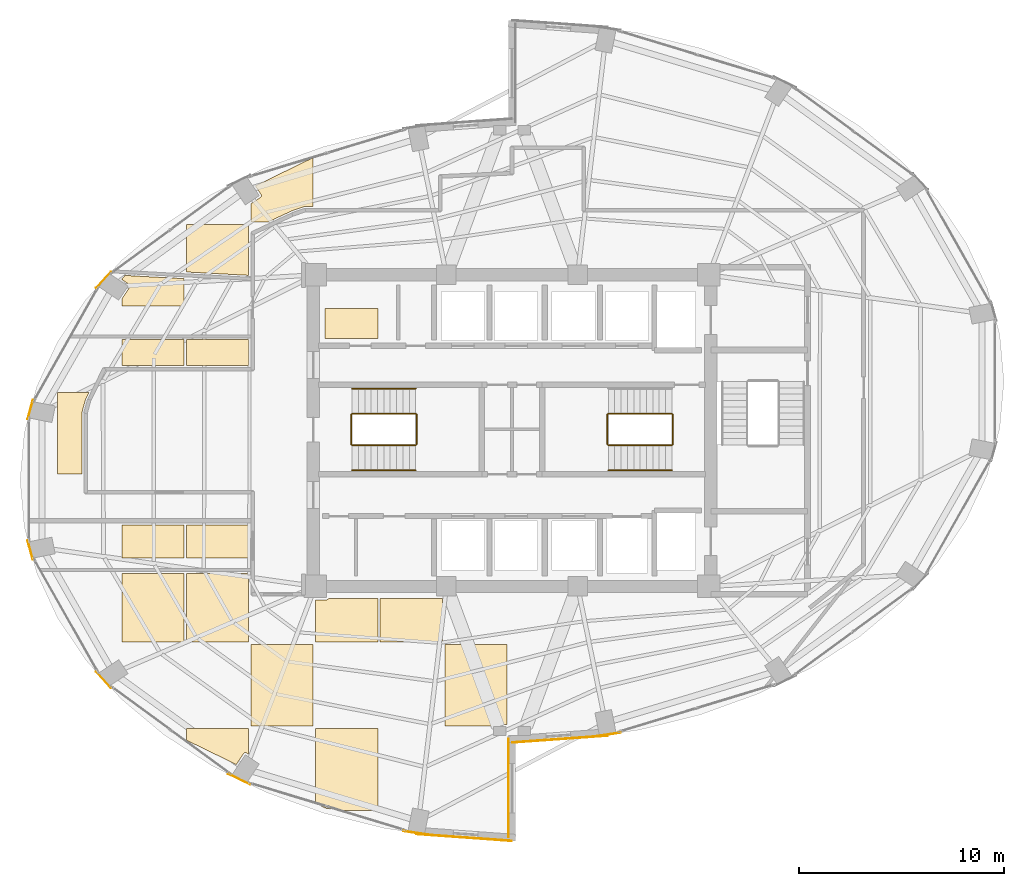
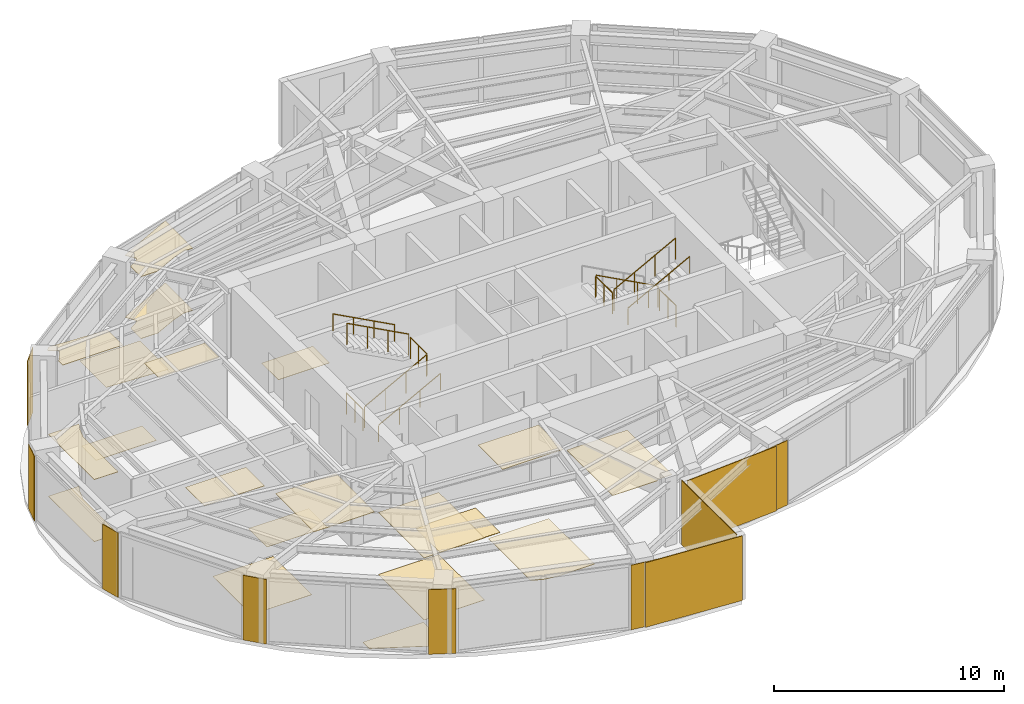
# One storey, part 19 of 20: 30 coverings, 11 railings.
"""IFC4 building model written with IfcOpenShell, lengths in metres."""

from ifc_helpers import new_model, si_unit, direction, frame, origin, origin_2d, place, context, subcontext, project, spatial, polyline, rectangle, circle, outline, extrude, material, layer, layer_set, type_object, element, save


model = new_model("IFC4")

# Units and contexts
model_context = context("Model", 3, precision=1e-05, world=origin(), true_north=direction((0.0, 1.0)))
body_context = subcontext(model_context, "Body", "Model", "MODEL_VIEW")
ifc_project = project(units=[si_unit("LENGTHUNIT", "METRE"), si_unit("AREAUNIT", "SQUARE_METRE"), si_unit("VOLUMEUNIT", "CUBIC_METRE"), si_unit("PLANEANGLEUNIT", "RADIAN"), si_unit("MASSUNIT", "GRAM", prefix="KILO")], contexts=[model_context])

# Site, building, storey
site_placement = place(None, origin())
site = spatial("IfcSite", under=ifc_project, at=site_placement, CompositionType="ELEMENT")
building_placement = place(site_placement, origin())
building = spatial("IfcBuilding", under=site, at=building_placement, Name="Lazwardi Medical Tower", CompositionType="ELEMENT")
storey_placement = place(building_placement, frame((0.0, 0.0, 182.06396484375)))
storey = spatial("IfcBuildingStorey", under=building, at=storey_placement, Name="L47", CompositionType="ELEMENT", Elevation=182.06396484375)

# Coverings
ifc_material_1 = material(Name="Anodised bronze aluminium cassette cladding", Category="aluminium")
ifc_layer_1 = layer(ifc_material_1, 0.030029296875)
ifc_layer_set_1 = layer_set([ifc_layer_1], Name="Anodised bronze aluminium cassette cladding")
covering_type_1 = type_object("IfcCoveringType", Name="COV-CLD-BRZ", PredefinedType="CLADDING", material=ifc_layer_set_1)
covering_1_placement = place(storey_placement, frame((40.67431640625, 13.17578125, 0.0), z_axis=(0.0, 0.0, 1.0), x_axis=(0.989539138138, 0.144264666823, 0.0)))
element("IfcCovering", 1, at=covering_1_placement, inside=storey, type_object=covering_type_1, Name="L47 Mega-column bronze cassette cover M01", PredefinedType="CLADDING", context=body_context, shape_type="SweptSolid", body=[
    extrude(rectangle(XDim=1.28515625, YDim=0.030029296875, at=origin_2d()), origin(), (0.0, 0.0, 1.0), 3.427978515625),
])
covering_2_placement = place(storey_placement, frame((16.07861328125, 35.356689453125, 0.0), z_axis=(0.0, 0.0, 1.0), x_axis=(-0.673714459537, -0.738991763832, 0.0)))
element("IfcCovering", 2, at=covering_2_placement, inside=storey, type_object=covering_type_1, Name="L47 Mega-column bronze cassette cover M11", PredefinedType="CLADDING", context=body_context, shape_type="SweptSolid", body=[
    extrude(rectangle(XDim=1.0693359375, YDim=0.030029296875, at=origin_2d()), origin(), (0.0, 0.0, 1.0), 3.427978515625),
])
for number, where, z_axis, x_axis, name in (
    (3, (12.501220703125, 29.026123046875, 0.0), (0.0, 0.0, 1.0), (-0.261828726257, -0.965114354938, 0.0), "L47 Mega-column bronze cassette cover M12"),
    (4, (12.501220703125, 22.173828125, 0.0), (0.0, 0.0, 1.0), (0.261828726257, -0.965114354938, 0.0), "L47 Mega-column bronze cassette cover M13"),
):
    element("IfcCovering", number, at=place(storey_placement, frame(where, z_axis=z_axis, x_axis=x_axis)), inside=storey, type_object=covering_type_1, Name=name, PredefinedType="CLADDING", context=body_context, shape_type="SweptSolid", body=[
        extrude(rectangle(XDim=0.9658203125, YDim=0.030029296875, at=origin_2d()), origin(), (0.0, 0.0, 1.0), 3.427978515625),
    ])
covering_3_placement = place(storey_placement, frame((16.07861328125, 15.84326171875, 0.0), z_axis=(0.0, 0.0, 1.0), x_axis=(0.673714459537, -0.738991763832, 0.0)))
element("IfcCovering", 5, at=covering_3_placement, inside=storey, type_object=covering_type_1, Name="L47 Mega-column bronze cassette cover M14", PredefinedType="CLADDING", context=body_context, shape_type="SweptSolid", body=[
    extrude(rectangle(XDim=1.0693359375, YDim=0.030029296875, at=origin_2d()), origin(), (0.0, 0.0, 1.0), 3.427978515625),
])
covering_4_placement = place(storey_placement, frame((22.68896484375, 10.998046875, 0.0), z_axis=(0.0, 0.0, 1.0), x_axis=(0.898079014814, -0.439834154144, 0.0)))
element("IfcCovering", 6, at=covering_4_placement, inside=storey, type_object=covering_type_1, Name="L47 Mega-column bronze cassette cover M15", PredefinedType="CLADDING", context=body_context, shape_type="SweptSolid", body=[
    extrude(rectangle(XDim=1.200439453125, YDim=0.030029296875, at=origin_2d()), origin(), (0.0, 0.0, 1.0), 3.427978515625),
])
covering_5_placement = place(storey_placement, frame((31.32568359375, 8.3759765625, 0.0), z_axis=(0.0, 0.0, 1.0), x_axis=(0.989539138138, -0.144264666823, 0.0)))
element("IfcCovering", 7, at=covering_5_placement, inside=storey, type_object=covering_type_1, Name="L47 Mega-column bronze cassette cover M16", PredefinedType="CLADDING", context=body_context, shape_type="SweptSolid", body=[
    extrude(rectangle(XDim=1.28515625, YDim=0.030029296875, at=origin_2d()), origin(), (0.0, 0.0, 1.0), 3.427978515625),
])
ifc_material_2 = material(Name="Turquoise glazed ceramic tilework cladding", Category="masonry")
ifc_layer_2 = layer(ifc_material_2, 0.034912109375)
ifc_layer_set_2 = layer_set([ifc_layer_2], Name="Turquoise glazed ceramic tilework cladding")
covering_type_2 = type_object("IfcCoveringType", Name="COV-CLD-TRQ", PredefinedType="CLADDING", material=ifc_layer_set_2)
covering_6_placement = place(storey_placement, frame((38.338134765625, 12.952392578125, 0.0), z_axis=(0.0, 0.0, 1.0), x_axis=(0.997414510753, 0.071863020663, 0.0)))
element("IfcCovering", 8, at=covering_6_placement, inside=storey, type_object=covering_type_2, Name="L47 Turquoise glazed ceramic tilework cladding", PredefinedType="CLADDING", context=body_context, shape_type="SweptSolid", body=[
    extrude(rectangle(XDim=4.6630859375, YDim=0.034912109375, at=origin_2d()), origin(), (0.0, 0.0, 1.0), 3.427978515625),
])
covering_7_placement = place(storey_placement, frame((33.66162109375, 8.152587890625, 0.0), z_axis=(0.0, 0.0, 1.0), x_axis=(0.997414134466, -0.071868243112, 0.0)))
element("IfcCovering", 9, at=covering_7_placement, inside=storey, type_object=covering_type_2, Name="L47 Turquoise glazed ceramic tilework cladding", PredefinedType="CLADDING", context=body_context, shape_type="SweptSolid", body=[
    extrude(rectangle(XDim=4.66259765625, YDim=0.034912109375, at=origin_2d()), origin(), (0.0, 0.0, 1.0), 3.427978515625),
])
covering_8_placement = place(storey_placement, frame((35.824462890625, 10.56005859375, 0.0), z_axis=(0.0, 0.0, 1.0), x_axis=(0.0, 1.0, 0.0)))
element("IfcCovering", 10, at=covering_8_placement, inside=storey, type_object=covering_type_2, Name="L47 Turquoise glazed ceramic tilework iwan panel", PredefinedType="CLADDING", context=body_context, shape_type="SweptSolid", body=[
    extrude(rectangle(XDim=4.800048828125, YDim=0.034912109375, at=origin_2d()), origin(), (0.0, 0.0, 1.0), 3.427978515625),
])
ifc_material_3 = material(Name="Acoustic mineral fibre tile")
ifc_layer_3 = layer(ifc_material_3, 0.02490234375)
ifc_layer_set_3 = layer_set([ifc_layer_3], Name="Acoustic mineral fibre tile")
covering_type_3 = type_object("IfcCoveringType", Name="COV-CLG-01", PredefinedType="CEILING", material=ifc_layer_set_3)
covering_9_placement = place(storey_placement, frame((0.0, 0.0, 3.282958984375)))
element("IfcCovering", 11, at=covering_9_placement, inside=storey, type_object=covering_type_3, Name="L47 Clinical Acoustic Ceiling 1", PredefinedType="CEILING", context=body_context, shape_type="SweptSolid", body=[
    extrude(outline(polyline([(15.02490234375, 25.882568359375), (15.02490234375, 28.881103515625), (15.025146484375, 28.884765625), (15.025390625, 28.8935546875), (15.026123046875, 28.90087890625), (15.02734375, 28.90966796875), (15.02880859375, 28.91650390625), (15.03076171875, 28.92529296875), (15.031494140625, 28.928955078125), (15.199462890625, 29.519775390625), (15.200439453125, 29.523193359375), (15.203125, 29.531005859375), (15.20556640625, 29.53759765625), (15.208984375, 29.545166015625), (15.210205078125, 29.548095703125), (15.362548828125, 29.862548828125), (13.822998046875, 29.862548828125), (13.822998046875, 25.882568359375), (15.02490234375, 25.882568359375)])), origin(), (0.0, 0.0, 1.0), 0.025146484375),
])
covering_10_placement = place(storey_placement, frame((0.0, 0.0, 3.282958984375)))
element("IfcCovering", 12, at=covering_10_placement, inside=storey, type_object=covering_type_3, Name="L47 Clinical Acoustic Ceiling 2", PredefinedType="CEILING", context=body_context, shape_type="SweptSolid", body=[
    extrude(outline(polyline([(20.0029296875, 23.39990234375), (16.972900390625, 23.39990234375), (16.972900390625, 21.782470703125), (20.0029296875, 21.782470703125), (20.0029296875, 23.39990234375)])), origin(), (0.0, 0.0, 1.0), 0.025146484375),
])
covering_11_placement = place(storey_placement, frame((0.0, 0.0, 3.282958984375)))
element("IfcCovering", 13, at=covering_11_placement, inside=storey, type_object=covering_type_3, Name="L47 Clinical Acoustic Ceiling 3", PredefinedType="CEILING", context=body_context, shape_type="SweptSolid", body=[
    extrude(outline(polyline([(20.0029296875, 35.41552734375), (17.121826171875, 35.572021484375), (16.972900390625, 35.408935546875), (16.972900390625, 35.371337890625), (17.34228515625, 35.124267578125), (17.348876953125, 35.11962890625), (17.3544921875, 35.114501953125), (17.35986328125, 35.1083984375), (17.364501953125, 35.102294921875), (17.36865234375, 35.095458984375), (17.371826171875, 35.08837890625), (17.37451171875, 35.0810546875), (17.37646484375, 35.073486328125), (17.377685546875, 35.065673828125), (17.3779296875, 35.057861328125), (17.377685546875, 35.050048828125), (17.37646484375, 35.042236328125), (17.37451171875, 35.03466796875), (17.371826171875, 35.027099609375), (17.36865234375, 35.02001953125), (17.364501953125, 35.013427734375), (16.972900390625, 34.42724609375), (16.972900390625, 34.08251953125), (20.0029296875, 34.08251953125), (20.0029296875, 35.41552734375)])), origin(), (0.0, 0.0, 1.0), 0.025146484375),
])
covering_12_placement = place(storey_placement, frame((0.0, 0.0, 3.282958984375)))
element("IfcCovering", 14, at=covering_12_placement, inside=storey, type_object=covering_type_3, Name="L47 Clinical Acoustic Ceiling 4", PredefinedType="CEILING", context=body_context, shape_type="SweptSolid", body=[
    extrude(outline(polyline([(23.15283203125, 21.034912109375), (20.122802734375, 21.034912109375), (20.122802734375, 17.6826171875), (23.15283203125, 17.6826171875), (23.15283203125, 21.034912109375)])), origin(), (0.0, 0.0, 1.0), 0.025146484375),
])
covering_13_placement = place(storey_placement, frame((0.0, 0.0, 3.282958984375)))
element("IfcCovering", 15, at=covering_13_placement, inside=storey, type_object=covering_type_3, Name="L47 Clinical Acoustic Ceiling 5", PredefinedType="CEILING", context=body_context, shape_type="SweptSolid", body=[
    extrude(outline(polyline([(23.15283203125, 32.43505859375), (20.122802734375, 32.43505859375), (20.122802734375, 31.175048828125), (23.15283203125, 31.175048828125), (23.15283203125, 32.43505859375)])), origin(), (0.0, 0.0, 1.0), 0.025146484375),
])
covering_14_placement = place(storey_placement, frame((0.0, 0.0, 3.282958984375)))
element("IfcCovering", 16, at=covering_14_placement, inside=storey, type_object=covering_type_3, Name="L47 Clinical Acoustic Ceiling 6", PredefinedType="CEILING", context=body_context, shape_type="SweptSolid", body=[
    extrude(outline(polyline([(26.302978515625, 13.58251953125), (26.302978515625, 17.5625), (23.27294921875, 17.5625), (23.27294921875, 13.58251953125), (26.302978515625, 13.58251953125)])), origin(), (0.0, 0.0, 1.0), 0.025146484375),
])
covering_15_placement = place(storey_placement, frame((0.0, 0.0, 3.282958984375)))
element("IfcCovering", 17, at=covering_15_placement, inside=storey, type_object=covering_type_3, Name="L47 Clinical Acoustic Ceiling 7", PredefinedType="CEILING", context=body_context, shape_type="SweptSolid", body=[
    extrude(outline(polyline([(26.302978515625, 41.32080078125), (23.476318359375, 39.939453125), (23.76806640625, 39.5029296875), (23.772216796875, 39.49609375), (23.775390625, 39.489013671875), (23.7783203125, 39.481689453125), (23.780029296875, 39.47412109375), (23.78125, 39.46630859375), (23.781494140625, 39.45849609375), (23.78125, 39.45068359375), (23.780029296875, 39.44287109375), (23.7783203125, 39.435302734375), (23.775390625, 39.427734375), (23.772216796875, 39.420654296875), (23.76806640625, 39.4140625), (23.763427734375, 39.40771484375), (23.75830078125, 39.40185546875), (23.75244140625, 39.396484375), (23.74609375, 39.391845703125), (23.27294921875, 39.07568359375), (23.27294921875, 38.1826171875), (24.109619140625, 38.1826171875), (25.245849609375, 38.714111328125), (25.24951171875, 38.7158203125), (25.2587890625, 38.719482421875), (25.262939453125, 38.72119140625), (25.825439453125, 38.915283203125), (25.82958984375, 38.916748046875), (25.83984375, 38.919677734375), (25.848876953125, 38.921630859375), (25.859130859375, 38.92333984375), (25.867431640625, 38.92431640625), (25.8779296875, 38.9248046875), (25.882568359375, 38.925048828125), (26.302978515625, 38.925048828125), (26.302978515625, 41.32080078125)])), origin(), (0.0, 0.0, 1.0), 0.025146484375),
])
covering_16_placement = place(storey_placement, frame((0.0, 0.0, 3.282958984375)))
element("IfcCovering", 18, at=covering_16_placement, inside=storey, type_object=covering_type_3, Name="L47 Clinical Acoustic Ceiling 8", PredefinedType="CEILING", context=body_context, shape_type="SweptSolid", body=[
    extrude(outline(polyline([(26.4228515625, 9.820556640625), (26.908447265625, 9.58349609375), (27.60205078125, 9.482421875), (29.452880859375, 9.482421875), (29.452880859375, 13.46240234375), (26.4228515625, 13.46240234375), (26.4228515625, 9.820556640625)])), origin(), (0.0, 0.0, 1.0), 0.025146484375),
])
covering_17_placement = place(storey_placement, frame((0.0, 0.0, 3.282958984375)))
element("IfcCovering", 19, at=covering_17_placement, inside=storey, type_object=covering_type_3, Name="L47 Clinical Acoustic Ceiling 9", PredefinedType="CEILING", context=body_context, shape_type="SweptSolid", body=[
    extrude(outline(polyline([(32.602783203125, 19.820068359375), (29.572998046875, 19.820068359375), (29.572998046875, 17.6826171875), (32.602783203125, 17.6826171875), (32.602783203125, 19.820068359375)])), origin(), (0.0, 0.0, 1.0), 0.025146484375),
])
covering_18_placement = place(storey_placement, frame((0.0, 0.0, 3.282958984375)))
element("IfcCovering", 20, at=covering_18_placement, inside=storey, type_object=covering_type_3, Name="L47 Clinical Acoustic Ceiling 10", PredefinedType="CEILING", context=body_context, shape_type="SweptSolid", body=[
    extrude(outline(polyline([(35.0, 13.58251953125), (35.0, 13.594970703125), (35.00048828125, 13.602783203125), (35.00146484375, 13.610595703125), (35.00341796875, 13.6181640625), (35.006103515625, 13.62548828125), (35.009521484375, 13.6328125), (35.013427734375, 13.639404296875), (35.018310546875, 13.645751953125), (35.0234375, 13.651611328125), (35.029296875, 13.65673828125), (35.03564453125, 13.66162109375), (35.042236328125, 13.66552734375), (35.04931640625, 13.6689453125), (35.056884765625, 13.671630859375), (35.064453125, 13.673583984375), (35.072265625, 13.674560546875), (35.080078125, 13.675048828125), (35.719970703125, 13.675048828125), (35.727783203125, 13.674560546875), (35.735595703125, 13.673583984375), (35.7431640625, 13.671630859375), (35.75048828125, 13.6689453125), (35.7529296875, 13.667724609375), (35.7529296875, 17.5625), (32.722900390625, 17.5625), (32.722900390625, 13.58251953125), (35.0, 13.58251953125)])), origin(), (0.0, 0.0, 1.0), 0.025146484375),
])
ifc_material_4 = material(Name="Anti-static hospital vinyl sheet flooring")
ifc_layer_4 = layer(ifc_material_4, 0.014892578125)
ifc_layer_set_4 = layer_set([ifc_layer_4], Name="Anti-static hospital vinyl sheet flooring")
covering_type_4 = type_object("IfcCoveringType", Name="COV-FLR-01", PredefinedType="FLOORING", material=ifc_layer_set_4)
covering_19_placement = place(storey_placement, origin())
element("IfcCovering", 21, at=covering_19_placement, inside=storey, type_object=covering_type_4, Name="L47 Clinical Vinyl Flooring 1", PredefinedType="FLOORING", context=body_context, shape_type="SweptSolid", body=[
    extrude(outline(polyline([(15.02490234375, 25.882568359375), (15.02490234375, 28.881103515625), (15.025146484375, 28.884765625), (15.025390625, 28.8935546875), (15.026123046875, 28.90087890625), (15.02734375, 28.90966796875), (15.02880859375, 28.91650390625), (15.03076171875, 28.92529296875), (15.031494140625, 28.928955078125), (15.199462890625, 29.519775390625), (15.200439453125, 29.523193359375), (15.203125, 29.531005859375), (15.20556640625, 29.53759765625), (15.208984375, 29.545166015625), (15.210205078125, 29.548095703125), (15.362548828125, 29.862548828125), (13.822998046875, 29.862548828125), (13.822998046875, 25.882568359375), (15.02490234375, 25.882568359375)])), origin(), (0.0, 0.0, 1.0), 0.01513671875),
])
covering_20_placement = place(storey_placement, origin())
element("IfcCovering", 22, at=covering_20_placement, inside=storey, type_object=covering_type_4, Name="L47 Clinical Vinyl Flooring 2", PredefinedType="FLOORING", context=body_context, shape_type="SweptSolid", body=[
    extrude(outline(polyline([(20.0029296875, 21.034912109375), (16.972900390625, 21.034912109375), (16.972900390625, 17.6826171875), (20.0029296875, 17.6826171875), (20.0029296875, 21.034912109375)])), origin(), (0.0, 0.0, 1.0), 0.01513671875),
])
covering_21_placement = place(storey_placement, origin())
element("IfcCovering", 23, at=covering_21_placement, inside=storey, type_object=covering_type_4, Name="L47 Clinical Vinyl Flooring 3", PredefinedType="FLOORING", context=body_context, shape_type="SweptSolid", body=[
    extrude(outline(polyline([(20.0029296875, 32.43505859375), (16.972900390625, 32.43505859375), (16.972900390625, 31.175048828125), (20.0029296875, 31.175048828125), (20.0029296875, 32.43505859375)])), origin(), (0.0, 0.0, 1.0), 0.01513671875),
])
covering_22_placement = place(storey_placement, origin())
element("IfcCovering", 24, at=covering_22_placement, inside=storey, type_object=covering_type_4, Name="L47 Clinical Vinyl Flooring 4", PredefinedType="FLOORING", context=body_context, shape_type="SweptSolid", body=[
    extrude(outline(polyline([(20.122802734375, 12.899169921875), (22.551513671875, 11.71240234375), (22.919921875, 12.263916015625), (22.9248046875, 12.27001953125), (22.929931640625, 12.27587890625), (22.935791015625, 12.28125), (22.942138671875, 12.285888671875), (22.94873046875, 12.2900390625), (22.955810546875, 12.293212890625), (22.96337890625, 12.2958984375), (22.970947265625, 12.2978515625), (22.978759765625, 12.299072265625), (22.986572265625, 12.29931640625), (22.994384765625, 12.299072265625), (23.002197265625, 12.2978515625), (23.009765625, 12.2958984375), (23.01708984375, 12.293212890625), (23.024169921875, 12.2900390625), (23.031005859375, 12.285888671875), (23.15283203125, 12.204345703125), (23.15283203125, 13.46240234375), (20.122802734375, 13.46240234375), (20.122802734375, 12.899169921875)])), origin(), (0.0, 0.0, 1.0), 0.01513671875),
])
covering_23_placement = place(storey_placement, origin())
element("IfcCovering", 25, at=covering_23_placement, inside=storey, type_object=covering_type_4, Name="L47 Clinical Vinyl Flooring 5", PredefinedType="FLOORING", context=body_context, shape_type="SweptSolid", body=[
    extrude(outline(polyline([(23.15283203125, 23.39990234375), (20.122802734375, 23.39990234375), (20.122802734375, 21.782470703125), (23.15283203125, 21.782470703125), (23.15283203125, 23.39990234375)])), origin(), (0.0, 0.0, 1.0), 0.01513671875),
])
covering_24_placement = place(storey_placement, origin())
element("IfcCovering", 26, at=covering_24_placement, inside=storey, type_object=covering_type_4, Name="L47 Clinical Vinyl Flooring 6", PredefinedType="FLOORING", context=body_context, shape_type="SweptSolid", body=[
    extrude(outline(polyline([(20.122802734375, 35.739501953125), (23.15283203125, 35.5751953125), (23.15283203125, 38.0625), (20.122802734375, 38.0625), (20.122802734375, 35.739501953125)])), origin(), (0.0, 0.0, 1.0), 0.01513671875),
])
covering_25_placement = place(storey_placement, origin())
element("IfcCovering", 27, at=covering_25_placement, inside=storey, type_object=covering_type_4, Name="L47 Clinical Vinyl Flooring 7", PredefinedType="FLOORING", context=body_context, shape_type="SweptSolid", body=[
    extrude(outline(polyline([(26.302978515625, 13.58251953125), (26.302978515625, 17.5625), (23.27294921875, 17.5625), (23.27294921875, 13.58251953125), (26.302978515625, 13.58251953125)])), origin(), (0.0, 0.0, 1.0), 0.01513671875),
])
covering_26_placement = place(storey_placement, origin())
element("IfcCovering", 28, at=covering_26_placement, inside=storey, type_object=covering_type_4, Name="L47 Clinical Vinyl Flooring 8", PredefinedType="FLOORING", context=body_context, shape_type="SweptSolid", body=[
    extrude(outline(polyline([(26.302978515625, 41.32080078125), (23.476318359375, 39.939453125), (23.76806640625, 39.5029296875), (23.772216796875, 39.49609375), (23.775390625, 39.489013671875), (23.7783203125, 39.481689453125), (23.780029296875, 39.47412109375), (23.78125, 39.46630859375), (23.781494140625, 39.45849609375), (23.78125, 39.45068359375), (23.780029296875, 39.44287109375), (23.7783203125, 39.435302734375), (23.775390625, 39.427734375), (23.772216796875, 39.420654296875), (23.76806640625, 39.4140625), (23.763427734375, 39.40771484375), (23.75830078125, 39.40185546875), (23.75244140625, 39.396484375), (23.74609375, 39.391845703125), (23.27294921875, 39.07568359375), (23.27294921875, 38.1826171875), (24.109619140625, 38.1826171875), (25.245849609375, 38.714111328125), (25.24951171875, 38.7158203125), (25.2587890625, 38.719482421875), (25.262939453125, 38.72119140625), (25.825439453125, 38.915283203125), (25.82958984375, 38.916748046875), (25.83984375, 38.919677734375), (25.848876953125, 38.921630859375), (25.859130859375, 38.92333984375), (25.867431640625, 38.92431640625), (25.8779296875, 38.9248046875), (25.882568359375, 38.925048828125), (26.302978515625, 38.925048828125), (26.302978515625, 41.32080078125)])), origin(), (0.0, 0.0, 1.0), 0.01513671875),
])
covering_27_placement = place(storey_placement, origin())
element("IfcCovering", 29, at=covering_27_placement, inside=storey, type_object=covering_type_4, Name="L47 Clinical Vinyl Flooring 9", PredefinedType="FLOORING", context=body_context, shape_type="SweptSolid", body=[
    extrude(outline(polyline([(29.452880859375, 19.820068359375), (27.04931640625, 19.820068359375), (27.048583984375, 19.814453125), (27.046630859375, 19.806884765625), (27.0439453125, 19.79931640625), (27.04052734375, 19.792236328125), (27.03662109375, 19.78564453125), (27.03173828125, 19.779296875), (27.026611328125, 19.7734375), (27.020751953125, 19.768310546875), (27.014404296875, 19.763427734375), (27.0078125, 19.759521484375), (27.00048828125, 19.756103515625), (26.9931640625, 19.75341796875), (26.985595703125, 19.75146484375), (26.977783203125, 19.75048828125), (26.969970703125, 19.75), (26.4228515625, 19.75), (26.4228515625, 17.6826171875), (29.452880859375, 17.6826171875), (29.452880859375, 19.820068359375)])), origin(), (0.0, 0.0, 1.0), 0.01513671875),
])
covering_28_placement = place(storey_placement, origin())
element("IfcCovering", 30, at=covering_28_placement, inside=storey, type_object=covering_type_4, Name="L47 Clinical Vinyl Flooring 10", PredefinedType="FLOORING", context=body_context, shape_type="SweptSolid", body=[
    extrude(outline(polyline([(26.8798828125, 33.96240234375), (26.8798828125, 32.5), (29.452880859375, 32.5), (29.452880859375, 33.96240234375), (26.8798828125, 33.96240234375)])), origin(), (0.0, 0.0, 1.0), 0.01513671875),
])

# Railings
ifc_material_5 = material(Name="Stainless steel Grade 316", Category="steel")
railing_type_1 = type_object("IfcRailingType", Name="RLG-GRD-1150", PredefinedType="GUARDRAIL", material=ifc_material_5)
railing_1_placement = place(storey_placement, frame((28.199951171875, 27.2900390625, 0.165771484375)))
element("IfcRailing", 31, at=railing_1_placement, inside=storey, type_object=railing_type_1, Name="L47 ST1 stair guard 1", PredefinedType="GUARDRAIL", context=body_context, shape_type="SweptSolid", body=[
    extrude(circle(Radius=0.02392578125, at=origin_2d()), frame((0.0, 0.0, 1.1259765625), z_axis=(0.881783298633, 0.0, 0.471654761719), x_axis=(0.0, 1.0, 0.0)), (0.0, 0.0, 1.0), 3.515625),
    extrude(circle(Radius=0.02099609375, at=origin_2d()), origin(), (0.0, 0.0, 1.0), 1.099853515625),
    extrude(circle(Radius=0.02099609375, at=origin_2d()), frame((1.033447265625, 0.0, 0.552734375)), (0.0, 0.0, 1.0), 1.099853515625),
    extrude(circle(Radius=0.02099609375, at=origin_2d()), frame((2.066650390625, 0.0, 1.10546875)), (0.0, 0.0, 1.0), 1.099853515625),
    extrude(circle(Radius=0.02099609375, at=origin_2d()), frame((3.10009765625, 0.0, 1.658203125)), (0.0, 0.0, 1.0), 1.099853515625),
])
railing_2_placement = place(storey_placement, frame((31.35009765625, 27.340087890625, 1.823974609375)))
element("IfcRailing", 32, at=railing_2_placement, inside=storey, type_object=railing_type_1, Name="L47 ST1 stair guard 2", PredefinedType="GUARDRAIL", context=body_context, shape_type="SweptSolid", body=[
    extrude(circle(Radius=0.02392578125, at=origin_2d()), frame((0.0, 0.0, 1.1259765625), z_axis=(0.0, 1.0, 0.0), x_axis=(-1.0, 0.0, 0.0)), (0.0, 0.0, 1.0), 1.43994140625),
    extrude(circle(Radius=0.02099609375, at=origin_2d()), origin(), (0.0, 0.0, 1.0), 1.099853515625),
    extrude(circle(Radius=0.02099609375, at=origin_2d()), frame((0.0, 0.719970703125, 0.0)), (0.0, 0.0, 1.0), 1.099853515625),
    extrude(circle(Radius=0.02099609375, at=origin_2d()), frame((0.0, 1.43994140625, 0.0)), (0.0, 0.0, 1.0), 1.099853515625),
])
railing_3_placement = place(storey_placement, frame((31.300048828125, 28.830078125, 1.98974609375)))
element("IfcRailing", 33, at=railing_3_placement, inside=storey, type_object=railing_type_1, Name="L47 ST1 stair guard 3", PredefinedType="GUARDRAIL", context=body_context, shape_type="SweptSolid", body=[
    extrude(circle(Radius=0.02392578125, at=origin_2d()), frame((0.0, 0.0, 1.1259765625), z_axis=(-0.881783298633, 0.0, 0.471654761719), x_axis=(0.0, -1.0, 0.0)), (0.0, 0.0, 1.0), 3.515625),
    extrude(circle(Radius=0.02099609375, at=origin_2d()), origin(), (0.0, 0.0, 1.0), 1.099853515625),
    extrude(circle(Radius=0.02099609375, at=origin_2d()), frame((-1.033447265625, 0.0, 0.552734375)), (0.0, 0.0, 1.0), 1.099853515625),
    extrude(circle(Radius=0.02099609375, at=origin_2d()), frame((-2.066650390625, 0.0, 1.10546875)), (0.0, 0.0, 1.0), 1.099853515625),
    extrude(circle(Radius=0.02099609375, at=origin_2d()), frame((-3.10009765625, 0.0, 1.658203125)), (0.0, 0.0, 1.0), 1.099853515625),
])
railing_4_placement = place(storey_placement, frame((28.14990234375, 27.340087890625, 0.0)))
element("IfcRailing", 34, at=railing_4_placement, inside=storey, type_object=railing_type_1, Name="L47 ST1 stair guard 4", PredefinedType="GUARDRAIL", context=body_context, shape_type="SweptSolid", body=[
    extrude(circle(Radius=0.02392578125, at=origin_2d()), frame((0.0, 0.0, 1.1259765625), z_axis=(0.0, 1.0, 0.0), x_axis=(-1.0, 0.0, 0.0)), (0.0, 0.0, 1.0), 1.43994140625),
    extrude(circle(Radius=0.02099609375, at=origin_2d()), origin(), (0.0, 0.0, 1.0), 1.099853515625),
    extrude(circle(Radius=0.02099609375, at=origin_2d()), frame((0.0, 0.719970703125, 0.0)), (0.0, 0.0, 1.0), 1.099853515625),
    extrude(circle(Radius=0.02099609375, at=origin_2d()), frame((0.0, 1.43994140625, 0.0)), (0.0, 0.0, 1.0), 1.099853515625),
])
railing_5_placement = place(storey_placement, frame((43.800048828125, 28.830078125, 0.165771484375)))
element("IfcRailing", 35, at=railing_5_placement, inside=storey, type_object=railing_type_1, Name="L47 ST2 stair guard 1", PredefinedType="GUARDRAIL", context=body_context, shape_type="SweptSolid", body=[
    extrude(circle(Radius=0.02392578125, at=origin_2d()), frame((0.0, 0.0, 1.1259765625), z_axis=(-0.881783298633, 0.0, 0.471654761719), x_axis=(0.0, -1.0, 0.0)), (0.0, 0.0, 1.0), 3.515625),
    extrude(circle(Radius=0.02099609375, at=origin_2d()), origin(), (0.0, 0.0, 1.0), 1.099853515625),
    extrude(circle(Radius=0.02099609375, at=origin_2d()), frame((-1.033447265625, 0.0, 0.552734375)), (0.0, 0.0, 1.0), 1.099853515625),
    extrude(circle(Radius=0.02099609375, at=origin_2d()), frame((-2.066650390625, 0.0, 1.10546875)), (0.0, 0.0, 1.0), 1.099853515625),
    extrude(circle(Radius=0.02099609375, at=origin_2d()), frame((-3.10009765625, 0.0, 1.658203125)), (0.0, 0.0, 1.0), 1.099853515625),
])
railing_6_placement = place(storey_placement, frame((40.64990234375, 28.780029296875, 1.823974609375)))
element("IfcRailing", 36, at=railing_6_placement, inside=storey, type_object=railing_type_1, Name="L47 ST2 stair guard 2", PredefinedType="GUARDRAIL", context=body_context, shape_type="SweptSolid", body=[
    extrude(circle(Radius=0.02392578125, at=origin_2d()), frame((0.0, 0.0, 1.1259765625), z_axis=(0.0, -1.0, 0.0), x_axis=(1.0, 0.0, 0.0)), (0.0, 0.0, 1.0), 1.43994140625),
    extrude(circle(Radius=0.02099609375, at=origin_2d()), origin(), (0.0, 0.0, 1.0), 1.099853515625),
    extrude(circle(Radius=0.02099609375, at=origin_2d()), frame((0.0, -0.719970703125, 0.0)), (0.0, 0.0, 1.0), 1.099853515625),
    extrude(circle(Radius=0.02099609375, at=origin_2d()), frame((0.0, -1.43994140625, 0.0)), (0.0, 0.0, 1.0), 1.099853515625),
])
railing_7_placement = place(storey_placement, frame((40.699951171875, 27.2900390625, 1.98974609375)))
element("IfcRailing", 37, at=railing_7_placement, inside=storey, type_object=railing_type_1, Name="L47 ST2 stair guard 3", PredefinedType="GUARDRAIL", context=body_context, shape_type="SweptSolid", body=[
    extrude(circle(Radius=0.02392578125, at=origin_2d()), frame((0.0, 0.0, 1.1259765625), z_axis=(0.881783298633, 0.0, 0.471654761719), x_axis=(0.0, 1.0, 0.0)), (0.0, 0.0, 1.0), 3.515625),
    extrude(circle(Radius=0.02099609375, at=origin_2d()), origin(), (0.0, 0.0, 1.0), 1.099853515625),
    extrude(circle(Radius=0.02099609375, at=origin_2d()), frame((1.033447265625, 0.0, 0.552734375)), (0.0, 0.0, 1.0), 1.099853515625),
    extrude(circle(Radius=0.02099609375, at=origin_2d()), frame((2.066650390625, 0.0, 1.10546875)), (0.0, 0.0, 1.0), 1.099853515625),
    extrude(circle(Radius=0.02099609375, at=origin_2d()), frame((3.10009765625, 0.0, 1.658203125)), (0.0, 0.0, 1.0), 1.099853515625),
])
railing_8_placement = place(storey_placement, frame((43.85009765625, 28.780029296875, 0.0)))
element("IfcRailing", 38, at=railing_8_placement, inside=storey, type_object=railing_type_1, Name="L47 ST2 stair guard 4", PredefinedType="GUARDRAIL", context=body_context, shape_type="SweptSolid", body=[
    extrude(circle(Radius=0.02392578125, at=origin_2d()), frame((0.0, 0.0, 1.1259765625), z_axis=(0.0, -1.0, 0.0), x_axis=(1.0, 0.0, 0.0)), (0.0, 0.0, 1.0), 1.43994140625),
    extrude(circle(Radius=0.02099609375, at=origin_2d()), origin(), (0.0, 0.0, 1.0), 1.099853515625),
    extrude(circle(Radius=0.02099609375, at=origin_2d()), frame((0.0, -0.719970703125, 0.0)), (0.0, 0.0, 1.0), 1.099853515625),
    extrude(circle(Radius=0.02099609375, at=origin_2d()), frame((0.0, -1.43994140625, 0.0)), (0.0, 0.0, 1.0), 1.099853515625),
])
railing_type_2 = type_object("IfcRailingType", Name="RLG-HND-920", PredefinedType="HANDRAIL", material=ifc_material_5)
railing_9_placement = place(storey_placement, frame((28.199951171875, 26.070068359375, 0.165771484375)))
element("IfcRailing", 39, at=railing_9_placement, inside=storey, type_object=railing_type_2, Name="L47 ST1 stair handrail 1", PredefinedType="HANDRAIL", context=body_context, shape_type="SweptSolid", body=[
    extrude(circle(Radius=0.02392578125, at=origin_2d()), frame((0.0, 0.0, 0.8857421875), z_axis=(0.881783298633, 0.0, 0.471654761719), x_axis=(0.0, 1.0, 0.0)), (0.0, 0.0, 1.0), 3.515625),
    extrude(circle(Radius=0.02099609375, at=origin_2d()), origin(), (0.0, 0.0, 1.0), 0.85986328125),
    extrude(circle(Radius=0.02099609375, at=origin_2d()), frame((1.033447265625, 0.0, 0.552734375)), (0.0, 0.0, 1.0), 0.85986328125),
    extrude(circle(Radius=0.02099609375, at=origin_2d()), frame((2.066650390625, 0.0, 1.10546875)), (0.0, 0.0, 1.0), 0.85986328125),
    extrude(circle(Radius=0.02099609375, at=origin_2d()), frame((3.10009765625, 0.0, 1.658203125)), (0.0, 0.0, 1.0), 0.85986328125),
])
railing_10_placement = place(storey_placement, frame((31.300048828125, 30.050048828125, 1.98974609375)))
element("IfcRailing", 40, at=railing_10_placement, inside=storey, type_object=railing_type_2, Name="L47 ST1 stair handrail 2", PredefinedType="HANDRAIL", context=body_context, shape_type="SweptSolid", body=[
    extrude(circle(Radius=0.02392578125, at=origin_2d()), frame((0.0, 0.0, 0.8857421875), z_axis=(-0.881783298633, 0.0, 0.471654761719), x_axis=(0.0, -1.0, 0.0)), (0.0, 0.0, 1.0), 3.515625),
    extrude(circle(Radius=0.02099609375, at=origin_2d()), origin(), (0.0, 0.0, 1.0), 0.85986328125),
    extrude(circle(Radius=0.02099609375, at=origin_2d()), frame((-1.033447265625, 0.0, 0.552734375)), (0.0, 0.0, 1.0), 0.85986328125),
    extrude(circle(Radius=0.02099609375, at=origin_2d()), frame((-2.066650390625, 0.0, 1.10546875)), (0.0, 0.0, 1.0), 0.85986328125),
    extrude(circle(Radius=0.02099609375, at=origin_2d()), frame((-3.10009765625, 0.0, 1.658203125)), (0.0, 0.0, 1.0), 0.85986328125),
])
railing_11_placement = place(storey_placement, frame((40.699951171875, 26.070068359375, 1.98974609375)))
element("IfcRailing", 41, at=railing_11_placement, inside=storey, type_object=railing_type_2, Name="L47 ST2 stair handrail 2", PredefinedType="HANDRAIL", context=body_context, shape_type="SweptSolid", body=[
    extrude(circle(Radius=0.02392578125, at=origin_2d()), frame((0.0, 0.0, 0.8857421875), z_axis=(0.881783298633, 0.0, 0.471654761719), x_axis=(0.0, 1.0, 0.0)), (0.0, 0.0, 1.0), 3.515625),
    extrude(circle(Radius=0.02099609375, at=origin_2d()), origin(), (0.0, 0.0, 1.0), 0.85986328125),
    extrude(circle(Radius=0.02099609375, at=origin_2d()), frame((1.033447265625, 0.0, 0.552734375)), (0.0, 0.0, 1.0), 0.85986328125),
    extrude(circle(Radius=0.02099609375, at=origin_2d()), frame((2.066650390625, 0.0, 1.10546875)), (0.0, 0.0, 1.0), 0.85986328125),
    extrude(circle(Radius=0.02099609375, at=origin_2d()), frame((3.10009765625, 0.0, 1.658203125)), (0.0, 0.0, 1.0), 0.85986328125),
])

save(model, "model.ifc")
